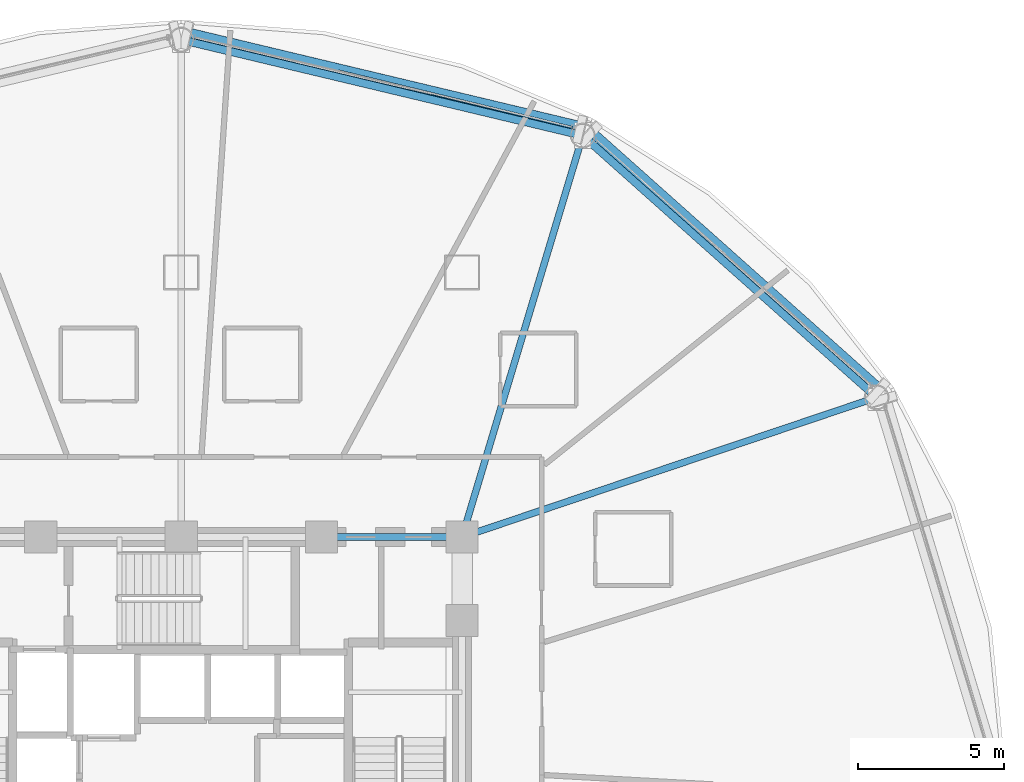
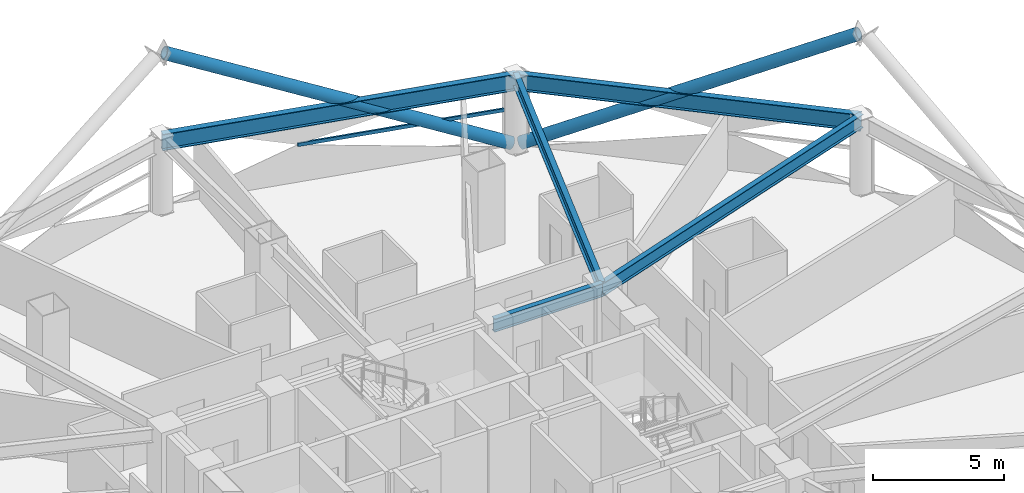
# One storey, part 18 of 30: 5 beams, 3 members, 1 element without a shape of its own.
"""IFC4 building model written with IfcOpenShell, lengths in metres."""

from ifc_helpers import new_model, si_unit, direction, frame, origin, origin_2d, place, context, subcontext, project, spatial, hollow_rectangle, hollow_circle, i_section, extrude, material, layer, layer_set, material_profile, profile_set, type_object, element, aggregate, save


model = new_model("IFC4")

# Units and contexts
model_context = context("Model", 3, precision=1e-05, world=origin(), true_north=direction((0.0, 1.0)))
body_context = subcontext(model_context, "Body", "Model", "MODEL_VIEW")
ifc_project = project(units=[si_unit("LENGTHUNIT", "METRE"), si_unit("AREAUNIT", "SQUARE_METRE"), si_unit("VOLUMEUNIT", "CUBIC_METRE"), si_unit("PLANEANGLEUNIT", "RADIAN"), si_unit("MASSUNIT", "GRAM", prefix="KILO")], contexts=[model_context])

# Site, building, storey
site_placement = place(None, origin())
site = spatial("IfcSite", under=ifc_project, at=site_placement, CompositionType="ELEMENT")
building_placement = place(site_placement, origin())
building = spatial("IfcBuilding", under=site, at=building_placement, Name="Vantalir Tower", CompositionType="ELEMENT")
storey_placement = place(building_placement, frame((0.0, 0.0, 57.0)))
storey = spatial("IfcBuildingStorey", under=building, at=storey_placement, Name="L13", CompositionType="ELEMENT", Elevation=57.0)

# Beams
ifc_material_1 = material(Name="Steel S355", Category="steel")
ifc_material_profile_1 = material_profile(ifc_material_1, i_section(OverallWidth=0.22998046875, OverallDepth=0.616943359375, WebThickness=0.01318359375, FlangeThickness=0.022216796875, at=origin_2d()), Name="Steel S355")
ifc_profile_set_1 = profile_set([ifc_material_profile_1], Name="Steel S355")
beam_type_1 = type_object("IfcBeamType", Name="BM-RB-610x229", PredefinedType="BEAM", material=ifc_profile_set_1)
beam_1_placement = place(storey_placement, frame((41.10009765625, 32.449951171875, 3.261962890625), z_axis=(-1.0, 0.0, 0.0), x_axis=(0.0, -1.0, 0.0)))
element("IfcBeam", 1, at=beam_1_placement, inside=storey, type_object=beam_type_1, Name="L13 Core Coupling Girder 08", PredefinedType="BEAM", context=body_context, shape_type="SweptSolid", body=[
    extrude(i_section(OverallWidth=0.22998046875, OverallDepth=0.616943359375, WebThickness=0.01318359375, FlangeThickness=0.022216796875, at=origin_2d()), origin(), (0.0, 0.0, 1.0), 4.800048828125),
])
beam_2_placement = place(storey_placement, frame((55.27294921875, 37.22509765625, 3.261962890625), z_axis=(-0.947658091823, -0.319286925825, 0.0), x_axis=(0.319286925825, -0.947658091823, 0.0)))
element("IfcBeam", 2, at=beam_2_placement, inside=storey, type_object=beam_type_1, Name="L13 Radial Floor Beam 02", PredefinedType="BEAM", context=body_context, shape_type="SweptSolid", body=[
    extrude(i_section(OverallWidth=0.22998046875, OverallDepth=0.616943359375, WebThickness=0.01318359375, FlangeThickness=0.022216796875, at=origin_2d()), origin(), (0.0, 0.0, 1.0), 14.95556640625),
])
beam_3_placement = place(storey_placement, frame((45.22607421875, 46.175048828125, 3.261962890625), z_axis=(-0.287888578324, -0.95766391102, 0.0), x_axis=(0.95766391102, -0.287888578324, 0.0)))
element("IfcBeam", 3, at=beam_3_placement, inside=storey, type_object=beam_type_1, Name="L13 Radial Floor Beam 03", PredefinedType="BEAM", context=body_context, shape_type="SweptSolid", body=[
    extrude(i_section(OverallWidth=0.22998046875, OverallDepth=0.616943359375, WebThickness=0.01318359375, FlangeThickness=0.022216796875, at=origin_2d()), origin(), (0.0, 0.0, 1.0), 14.331787109375),
])
ifc_material_2 = material(Name="Steel S460", Category="steel")
ifc_material_profile_2 = material_profile(ifc_material_2, i_section(OverallWidth=0.26806640625, OverallDepth=0.77001953125, WebThickness=0.015625, FlangeThickness=0.025390625, at=origin_2d()), Name="Steel S460")
ifc_profile_set_2 = profile_set([ifc_material_profile_2], Name="Steel S460")
beam_type_2 = type_object("IfcBeamType", Name="BM-RG-762x267", PredefinedType="USERDEFINED", material=ifc_profile_set_2)
beam_4_placement = place(storey_placement, frame((55.27294921875, 37.22509765625, 3.18505859375), z_axis=(-0.746693105456, 0.665168705115, 0.0), x_axis=(-0.665168705115, -0.746693105456, 0.0)))
element("IfcBeam", 4, at=beam_4_placement, inside=storey, type_object=beam_type_2, Name="L13 Circumferential Ring Girder 02", ObjectType="GIRDER", PredefinedType="USERDEFINED", context=body_context, shape_type="SweptSolid", body=[
    extrude(i_section(OverallWidth=0.26806640625, OverallDepth=0.77001953125, WebThickness=0.015625, FlangeThickness=0.025390625, at=origin_2d()), origin(), (0.0, 0.0, 1.0), 13.455078125),
])
beam_5_placement = place(storey_placement, frame((45.22607421875, 46.175048828125, 3.18505859375), z_axis=(-0.97268207428, 0.232141298294, 0.0), x_axis=(-0.232141298294, -0.97268207428, 0.0)))
element("IfcBeam", 5, at=beam_5_placement, inside=storey, type_object=beam_type_2, Name="L13 Circumferential Ring Girder 03", ObjectType="GIRDER", PredefinedType="USERDEFINED", context=body_context, shape_type="SweptSolid", body=[
    extrude(i_section(OverallWidth=0.26806640625, OverallDepth=0.77001953125, WebThickness=0.015625, FlangeThickness=0.025390625, at=origin_2d()), origin(), (0.0, 0.0, 1.0), 14.111572265625),
])

# Curtain wall, member
ifc_material_3 = material(Name="Champagne-silver PVDF aluminium and double-silver Low-E glass", Category="aluminium")
ifc_layer = layer(ifc_material_3, 0.18994140625)
ifc_layer_set = layer_set([ifc_layer], Name="Champagne-silver PVDF aluminium and double-silver Low-E glass")
curtain_wall_type = type_object("IfcCurtainWallType", Name="CW-DIAMOND-Z1", PredefinedType="USERDEFINED", material=ifc_layer_set)
curtain_wall_placement = place(storey_placement, origin())
curtain_wall = element("IfcCurtainWall", 6, at=curtain_wall_placement, inside=storey, type_object=curtain_wall_type, Name="L13 Quilted Pyramid-Diamond Curtain Wall S03", ObjectType="UNITISED CURTAIN WALL", PredefinedType="USERDEFINED")
ifc_material_4 = material(Name="Champagne-silver PVDF aluminium 6063-T6", Category="aluminium")
ifc_material_profile_3 = material_profile(ifc_material_4, hollow_rectangle(XDim=0.074951171875, YDim=0.159912109375, WallThickness=0.00390625, at=origin_2d()), Name="Champagne-silver PVDF aluminium 6063-T6")
ifc_profile_set_3 = profile_set([ifc_material_profile_3], Name="Champagne-silver PVDF aluminium 6063-T6")
member_type_1 = type_object("IfcMemberType", Name="CWT-160x75", PredefinedType="USERDEFINED", material=ifc_profile_set_3)
member_1_placement = place(storey_placement, frame((44.864013671875, 46.448974609375, 1.784912109375), z_axis=(-0.971950897793, 0.23518386909, 0.0), x_axis=(-0.23518386909, -0.971950897793, 0.0)))
member_1 = element("IfcMember", 7, at=member_1_placement, type_object=member_type_1, Name="CW-L13-S03 Pyramid Fold Ridge Transom", ObjectType="TRANSOM", PredefinedType="USERDEFINED", context=body_context, shape_type="SweptSolid", body=[
    extrude(hollow_rectangle(XDim=0.074951171875, YDim=0.159912109375, WallThickness=0.00390625, at=origin_2d()), origin(), (0.0, 0.0, 1.0), 8.227783203125),
])
aggregate(curtain_wall, [member_1])

# Members
ifc_material_profile_4 = material_profile(ifc_material_2, hollow_circle(Radius=0.27001953125, WallThickness=0.044921875, at=origin_2d()), Name="Steel S460")
ifc_profile_set_4 = profile_set([ifc_material_profile_4], Name="Steel S460")
member_type_2 = type_object("IfcMemberType", Name="MEM-DB-540x45", PredefinedType="BRACE", material=ifc_profile_set_4)
member_2_placement = place(storey_placement, frame((45.1298828125, 46.385986328125, 0.178955078125), z_axis=(-0.868613187962, 0.207409289368, 0.449991684793), x_axis=(-0.232252725931, -0.972655474101, 0.0)))
element("IfcMember", 8, at=member_2_placement, inside=storey, type_object=member_type_2, Name="L13 Perimeter S460 Diagrid Brace R07L", PredefinedType="BRACE", context=body_context, shape_type="SweptSolid", body=[
    extrude(hollow_circle(Radius=0.27001953125, WallThickness=0.044921875, at=origin_2d()), origin(), (0.0, 0.0, 1.0), 15.4716796875),
])
member_3_placement = place(storey_placement, frame((45.466064453125, 46.2109375, 0.18310546875), z_axis=(0.659990412406, -0.588467265679, 0.46703204682), x_axis=(0.665505978191, 0.746392519384, 0.0)))
element("IfcMember", 9, at=member_3_placement, inside=storey, type_object=member_type_2, Name="L13 Perimeter S460 Diagrid Brace R07R", PredefinedType="BRACE", context=body_context, shape_type="SweptSolid", body=[
    extrude(hollow_circle(Radius=0.27001953125, WallThickness=0.044921875, at=origin_2d()), origin(), (0.0, 0.0, 1.0), 14.889404296875),
])

save(model, "model.ifc")
